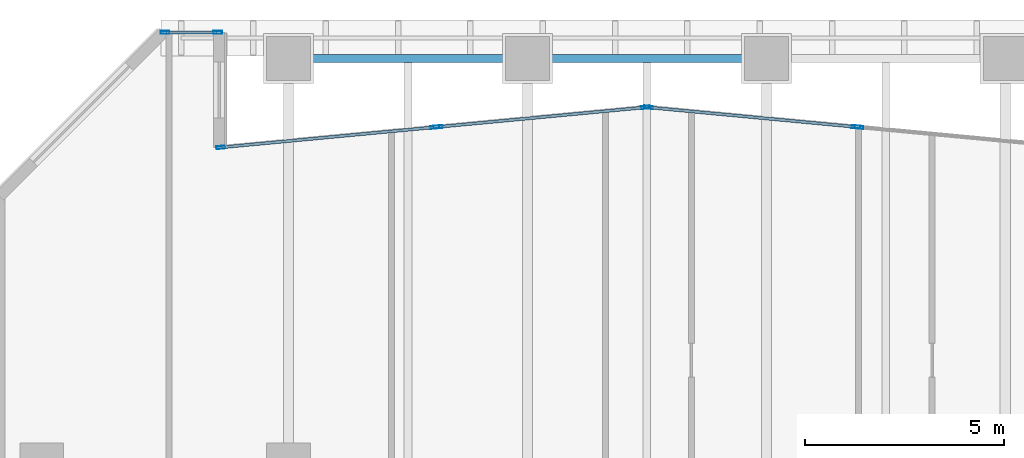
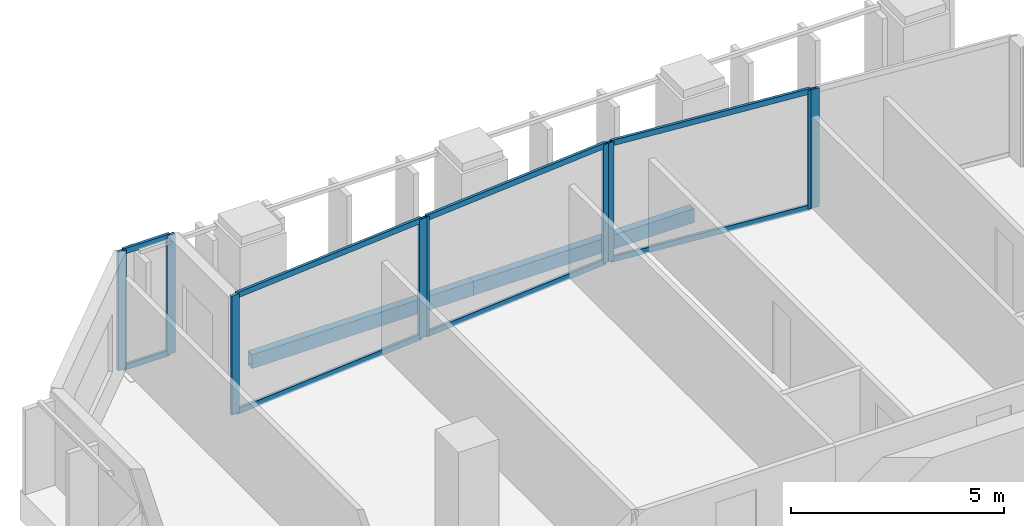
# One storey, part 9 of 32: 17 members, 2 beams, 5 elements without a shape of their own.
"""IFC4 building model written with IfcOpenShell, lengths in metres."""

from ifc_helpers import new_model, si_unit, direction, frame, origin, origin_2d, place, context, subcontext, project, spatial, hollow_rectangle, extrude, material, layer, layer_set, material_profile, profile_set, type_object, element, aggregate, save


model = new_model("IFC4")

# Units and contexts
model_context = context("Model", 3, precision=1e-05, world=origin(), true_north=direction((0.0, 1.0)))
body_context = subcontext(model_context, "Body", "Model", "MODEL_VIEW")
ifc_project = project(units=[si_unit("LENGTHUNIT", "METRE"), si_unit("AREAUNIT", "SQUARE_METRE"), si_unit("VOLUMEUNIT", "CUBIC_METRE"), si_unit("PLANEANGLEUNIT", "RADIAN"), si_unit("MASSUNIT", "GRAM", prefix="KILO")], contexts=[model_context])

# Site, building, storey
site_placement = place(None, origin())
site = spatial("IfcSite", under=ifc_project, at=site_placement, CompositionType="ELEMENT")
building_placement = place(site_placement, origin())
building = spatial("IfcBuilding", under=site, at=building_placement, Name="Tanjung Sevakor Pilgrim Tower", CompositionType="ELEMENT")
storey_placement = place(building_placement, frame((0.0, 0.0, 62.3701171875)))
storey = spatial("IfcBuildingStorey", under=building, at=storey_placement, Name="L17", CompositionType="ELEMENT", Elevation=62.3701171875)

# Beams
ifc_material_1 = material(Name="Steel S355J2", Category="steel")
ifc_material_profile_1 = material_profile(ifc_material_1, hollow_rectangle(XDim=0.199951171875, YDim=0.39990234375, WallThickness=0.01611328125, at=origin_2d()))
ifc_profile_set_1 = profile_set([ifc_material_profile_1], Name="Steel S355J2")
beam_type = type_object("IfcBeamType", Name="BM-B-SP2-RHS_400x200x16", PredefinedType="SPANDREL", material=ifc_profile_set_1)
for number, where, z_axis, x_axis, name in (
    (1, (24.0, 58.800048828125, -0.420166015625), (1.0, 0.0, 0.0), (0.0, 1.0, 0.0), "L17 Spandrel MAIN N-02"),
    (2, (30.0, 58.800048828125, -0.420166015625), (1.0, 0.0, 0.0), (0.0, 1.0, 0.0), "L17 Spandrel MAIN N-04"),
):
    element("IfcBeam", number, at=place(storey_placement, frame(where, z_axis=z_axis, x_axis=x_axis)), inside=storey, type_object=beam_type, Name=name, PredefinedType="SPANDREL", context=body_context, shape_type="SweptSolid", body=[
        extrude(hollow_rectangle(XDim=0.199951171875, YDim=0.39990234375, WallThickness=0.01611328125, at=origin_2d()), origin(), (0.0, 0.0, 1.0), 6.0),
    ])

# Curtain wall, member
ifc_material_2 = material(Name="Aluminium 6063-T6 and Low-E Glass", Category="aluminium")
ifc_layer = layer(ifc_material_2, 0.199951171875)
ifc_layer_set = layer_set([ifc_layer], Name="CW-SYS-PRAY")
curtain_wall_type = type_object("IfcCurtainWallType", Name="CW-SYS-PRAY", PredefinedType="NOTDEFINED", material=ifc_layer_set)
curtain_wall_1_placement = place(storey_placement, origin())
curtain_wall_1 = element("IfcCurtainWall", 3, at=curtain_wall_1_placement, inside=storey, type_object=curtain_wall_type, Name="L17 Curtain Wall CW-PRY-L17-27", PredefinedType="NOTDEFINED")
ifc_material_3 = material(Name="Aluminium 6063-T6", Category="aluminium")
ifc_material_profile_2 = material_profile(ifc_material_3, hollow_rectangle(XDim=0.074951171875, YDim=0.219970703125, WallThickness=0.0048828125, at=origin_2d()))
ifc_profile_set_2 = profile_set([ifc_material_profile_2], Name="Aluminium 6063-T6")
member_type_1 = type_object("IfcMemberType", Name="TYPE-CWM-2", PredefinedType="MULLION", material=ifc_profile_set_2)
member_1_placement = place(storey_placement, frame((38.32421875, 57.0771484375, 0.0), z_axis=(0.0, 0.0, 1.0), x_axis=(-0.093917195845, -0.995580012015, 0.0)))
member_1 = element("IfcMember", 4, at=member_1_placement, type_object=member_type_1, Name="CW-PRY mullion 2", PredefinedType="MULLION", context=body_context, shape_type="SweptSolid", body=[
    extrude(hollow_rectangle(XDim=0.074951171875, YDim=0.219970703125, WallThickness=0.0048828125, at=origin_2d()), origin(), (0.0, 0.0, 1.0), 3.409912109375),
])
aggregate(curtain_wall_1, [member_1])

# Curtain wall, members
curtain_wall_2_placement = place(storey_placement, origin())
curtain_wall_2 = element("IfcCurtainWall", 5, at=curtain_wall_2_placement, inside=storey, type_object=curtain_wall_type, Name="L17 Curtain Wall CW-PRY-L17-28", PredefinedType="NOTDEFINED")
member_2_placement = place(storey_placement, frame((38.24951171875, 57.084228515625, 0.0), z_axis=(0.0, 0.0, 1.0), x_axis=(-0.093929285798, -0.995578871446, 0.0)))
member_2 = element("IfcMember", 6, at=member_2_placement, type_object=member_type_1, Name="CW-PRY mullion 1", PredefinedType="MULLION", context=body_context, shape_type="SweptSolid", body=[
    extrude(hollow_rectangle(XDim=0.074951171875, YDim=0.219970703125, WallThickness=0.0048828125, at=origin_2d()), origin(), (0.0, 0.0, 1.0), 3.409912109375),
])
member_3_placement = place(storey_placement, frame((33.037353515625, 57.575927734375, 0.0), z_axis=(0.0, 0.0, 1.0), x_axis=(-0.093929285798, -0.995578871446, 0.0)))
member_3 = element("IfcMember", 7, at=member_3_placement, type_object=member_type_1, Name="CW-PRY mullion 2", PredefinedType="MULLION", context=body_context, shape_type="SweptSolid", body=[
    extrude(hollow_rectangle(XDim=0.074951171875, YDim=0.219970703125, WallThickness=0.0048828125, at=origin_2d()), origin(), (0.0, 0.0, 1.0), 3.409912109375),
])

curtain_wall_3_placement = place(storey_placement, origin())
curtain_wall_3 = element("IfcCurtainWall", 8, at=curtain_wall_3_placement, inside=storey, type_object=curtain_wall_type, Name="L17 Curtain Wall CW-PRY-L17-29", PredefinedType="NOTDEFINED")
member_4_placement = place(storey_placement, frame((32.962646484375, 57.575927734375, 0.0), z_axis=(0.0, 0.0, 1.0), x_axis=(0.093929285798, -0.995578871446, 0.0)))
member_4 = element("IfcMember", 9, at=member_4_placement, type_object=member_type_1, Name="CW-PRY mullion 1", PredefinedType="MULLION", context=body_context, shape_type="SweptSolid", body=[
    extrude(hollow_rectangle(XDim=0.074951171875, YDim=0.219970703125, WallThickness=0.0048828125, at=origin_2d()), origin(), (0.0, 0.0, 1.0), 3.409912109375),
])
member_5_placement = place(storey_placement, frame((27.75048828125, 57.084228515625, 0.0), z_axis=(0.0, 0.0, 1.0), x_axis=(0.093929285798, -0.995578871446, 0.0)))
member_5 = element("IfcMember", 10, at=member_5_placement, type_object=member_type_1, Name="CW-PRY mullion 2", PredefinedType="MULLION", context=body_context, shape_type="SweptSolid", body=[
    extrude(hollow_rectangle(XDim=0.074951171875, YDim=0.219970703125, WallThickness=0.0048828125, at=origin_2d()), origin(), (0.0, 0.0, 1.0), 3.409912109375),
])

curtain_wall_4_placement = place(storey_placement, origin())
curtain_wall_4 = element("IfcCurtainWall", 11, at=curtain_wall_4_placement, inside=storey, type_object=curtain_wall_type, Name="L17 Curtain Wall CW-PRY-L17-30", PredefinedType="NOTDEFINED")
member_6_placement = place(storey_placement, frame((27.67578125, 57.0771484375, 0.0), z_axis=(0.0, 0.0, 1.0), x_axis=(0.093914741568, -0.995580243534, 0.0)))
member_6 = element("IfcMember", 12, at=member_6_placement, type_object=member_type_1, Name="CW-PRY mullion 1", PredefinedType="MULLION", context=body_context, shape_type="SweptSolid", body=[
    extrude(hollow_rectangle(XDim=0.074951171875, YDim=0.219970703125, WallThickness=0.0048828125, at=origin_2d()), origin(), (0.0, 0.0, 1.0), 3.409912109375),
])
member_7_placement = place(storey_placement, frame((22.29736328125, 56.56982421875, 0.0), z_axis=(0.0, 0.0, 1.0), x_axis=(0.093914741568, -0.995580243534, 0.0)))
member_7 = element("IfcMember", 13, at=member_7_placement, type_object=member_type_1, Name="CW-PRY mullion 2", PredefinedType="MULLION", context=body_context, shape_type="SweptSolid", body=[
    extrude(hollow_rectangle(XDim=0.074951171875, YDim=0.219970703125, WallThickness=0.0048828125, at=origin_2d()), origin(), (0.0, 0.0, 1.0), 3.409912109375),
])

curtain_wall_5_placement = place(storey_placement, origin())
curtain_wall_5 = element("IfcCurtainWall", 14, at=curtain_wall_5_placement, inside=storey, type_object=curtain_wall_type, Name="L17 Curtain Wall CW-PRY-L17-32", PredefinedType="NOTDEFINED")
member_8_placement = place(storey_placement, frame((22.222412109375, 59.4599609375, 0.0), z_axis=(0.0, 0.0, 1.0), x_axis=(0.0, -1.0, 0.0)))
member_8 = element("IfcMember", 15, at=member_8_placement, type_object=member_type_1, Name="CW-PRY mullion 1", PredefinedType="MULLION", context=body_context, shape_type="SweptSolid", body=[
    extrude(hollow_rectangle(XDim=0.074951171875, YDim=0.219970703125, WallThickness=0.0048828125, at=origin_2d()), origin(), (0.0, 0.0, 1.0), 3.409912109375),
])
member_9_placement = place(storey_placement, frame((20.8955078125, 59.4599609375, 0.0), z_axis=(0.0, 0.0, 1.0), x_axis=(0.0, -1.0, 0.0)))
member_9 = element("IfcMember", 16, at=member_9_placement, type_object=member_type_1, Name="CW-PRY mullion 2", PredefinedType="MULLION", context=body_context, shape_type="SweptSolid", body=[
    extrude(hollow_rectangle(XDim=0.074951171875, YDim=0.219970703125, WallThickness=0.0048828125, at=origin_2d()), origin(), (0.0, 0.0, 1.0), 3.409912109375),
])

# Member
ifc_material_4 = material(Name="Aluminium 6063-T6", Category="aluminium")
ifc_material_profile_3 = material_profile(ifc_material_4, hollow_rectangle(XDim=0.074951171875, YDim=0.159912109375, WallThickness=0.00439453125, at=origin_2d()))
ifc_profile_set_3 = profile_set([ifc_material_profile_3], Name="Aluminium 6063-T6")
member_type_2 = type_object("IfcMemberType", Name="TYPE-CWT-2", PredefinedType="USERDEFINED", material=ifc_profile_set_3)
member_10_placement = place(storey_placement, frame((38.212158203125, 57.087646484375, 0.037353515625), z_axis=(-0.995580337391, 0.093913746601, 0.0), x_axis=(-0.093913746601, -0.995580337391, 0.0)))
member_10 = element("IfcMember", 17, at=member_10_placement, type_object=member_type_2, Name="CW-PRY transom 1.1", ObjectType="TRANSOM", PredefinedType="USERDEFINED", context=body_context, shape_type="SweptSolid", body=[
    extrude(hollow_rectangle(XDim=0.074951171875, YDim=0.159912109375, WallThickness=0.00439453125, at=origin_2d()), origin(), (0.0, 0.0, 1.0), 5.16015625),
])

member_11_placement = place(storey_placement, frame((38.212158203125, 57.087646484375, 3.372314453125), z_axis=(-0.995580337391, 0.093913746601, 0.0), x_axis=(-0.093913746601, -0.995580337391, 0.0)))
member_11 = element("IfcMember", 18, at=member_11_placement, type_object=member_type_2, Name="CW-PRY transom 1.2", ObjectType="TRANSOM", PredefinedType="USERDEFINED", context=body_context, shape_type="SweptSolid", body=[
    extrude(hollow_rectangle(XDim=0.074951171875, YDim=0.159912109375, WallThickness=0.00439453125, at=origin_2d()), origin(), (0.0, 0.0, 1.0), 5.16015625),
])

aggregate(curtain_wall_2, [member_2, member_3, member_10, member_11])

member_12_placement = place(storey_placement, frame((32.92529296875, 57.572265625, 0.037353515625), z_axis=(-0.995580337391, -0.093913746601, 0.0), x_axis=(0.093913746601, -0.995580337391, 0.0)))
member_12 = element("IfcMember", 19, at=member_12_placement, type_object=member_type_2, Name="CW-PRY transom 1.1", ObjectType="TRANSOM", PredefinedType="USERDEFINED", context=body_context, shape_type="SweptSolid", body=[
    extrude(hollow_rectangle(XDim=0.074951171875, YDim=0.159912109375, WallThickness=0.00439453125, at=origin_2d()), origin(), (0.0, 0.0, 1.0), 5.16015625),
])

member_13_placement = place(storey_placement, frame((32.92529296875, 57.572265625, 3.372314453125), z_axis=(-0.995580337391, -0.093913746601, 0.0), x_axis=(0.093913746601, -0.995580337391, 0.0)))
member_13 = element("IfcMember", 20, at=member_13_placement, type_object=member_type_2, Name="CW-PRY transom 1.2", ObjectType="TRANSOM", PredefinedType="USERDEFINED", context=body_context, shape_type="SweptSolid", body=[
    extrude(hollow_rectangle(XDim=0.074951171875, YDim=0.159912109375, WallThickness=0.00439453125, at=origin_2d()), origin(), (0.0, 0.0, 1.0), 5.16015625),
])

aggregate(curtain_wall_3, [member_4, member_5, member_12, member_13])

member_14_placement = place(storey_placement, frame((27.638427734375, 57.073486328125, 0.037353515625), z_axis=(-0.995581362185, -0.093902882117, 0.0), x_axis=(0.093902882117, -0.995581362185, 0.0)))
member_14 = element("IfcMember", 21, at=member_14_placement, type_object=member_type_2, Name="CW-PRY transom 1.1", ObjectType="TRANSOM", PredefinedType="USERDEFINED", context=body_context, shape_type="SweptSolid", body=[
    extrude(hollow_rectangle(XDim=0.074951171875, YDim=0.159912109375, WallThickness=0.00439453125, at=origin_2d()), origin(), (0.0, 0.0, 1.0), 5.3271484375),
])

member_15_placement = place(storey_placement, frame((27.638427734375, 57.073486328125, 3.372314453125), z_axis=(-0.995581362185, -0.093902882117, 0.0), x_axis=(0.093902882117, -0.995581362185, 0.0)))
member_15 = element("IfcMember", 22, at=member_15_placement, type_object=member_type_2, Name="CW-PRY transom 1.2", ObjectType="TRANSOM", PredefinedType="USERDEFINED", context=body_context, shape_type="SweptSolid", body=[
    extrude(hollow_rectangle(XDim=0.074951171875, YDim=0.159912109375, WallThickness=0.00439453125, at=origin_2d()), origin(), (0.0, 0.0, 1.0), 5.3271484375),
])

aggregate(curtain_wall_4, [member_6, member_7, member_14, member_15])

member_16_placement = place(storey_placement, frame((22.18505859375, 59.4599609375, 0.037353515625), z_axis=(-1.0, 0.0, 0.0), x_axis=(0.0, -1.0, 0.0)))
member_16 = element("IfcMember", 23, at=member_16_placement, type_object=member_type_2, Name="CW-PRY transom 1.1", ObjectType="TRANSOM", PredefinedType="USERDEFINED", context=body_context, shape_type="SweptSolid", body=[
    extrude(hollow_rectangle(XDim=0.074951171875, YDim=0.159912109375, WallThickness=0.00439453125, at=origin_2d()), origin(), (0.0, 0.0, 1.0), 1.251953125),
])

member_17_placement = place(storey_placement, frame((22.18505859375, 59.4599609375, 3.372314453125), z_axis=(-1.0, 0.0, 0.0), x_axis=(0.0, -1.0, 0.0)))
member_17 = element("IfcMember", 24, at=member_17_placement, type_object=member_type_2, Name="CW-PRY transom 1.2", ObjectType="TRANSOM", PredefinedType="USERDEFINED", context=body_context, shape_type="SweptSolid", body=[
    extrude(hollow_rectangle(XDim=0.074951171875, YDim=0.159912109375, WallThickness=0.00439453125, at=origin_2d()), origin(), (0.0, 0.0, 1.0), 1.251953125),
])

aggregate(curtain_wall_5, [member_8, member_9, member_16, member_17])

save(model, "model.ifc")
